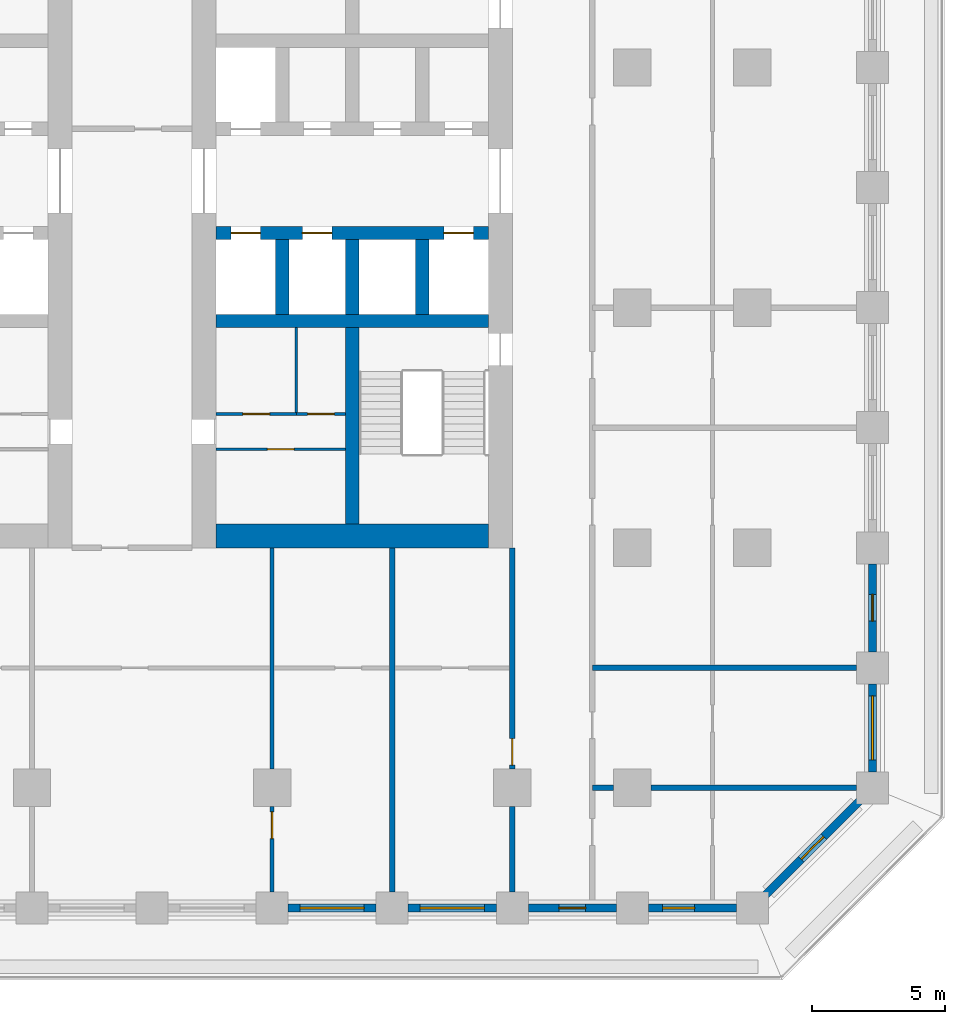
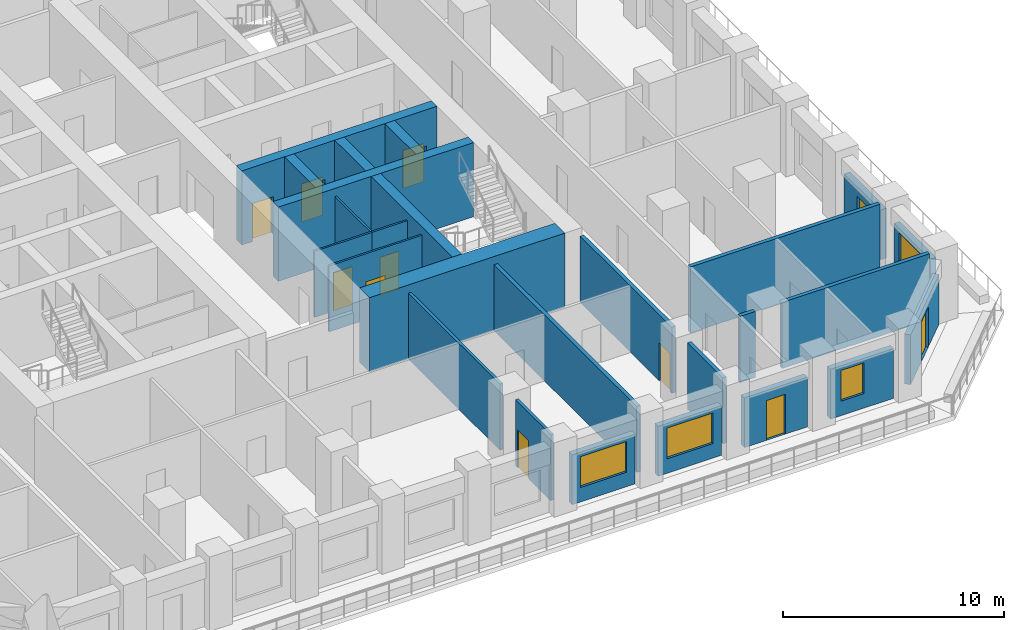
# One storey, part 5 of 18: 26 walls, 11 doors, 4 windows, 15 openings.
"""IFC4 building model written with IfcOpenShell, lengths in metres."""

from ifc_helpers import new_model, si_unit, direction, frame, frame_2d, origin, place, context, subcontext, project, spatial, rectangle, extrude, material, layer, layer_set, type_object, element, fill, save


model = new_model("IFC4")

# Units and contexts
model_context = context("Model", 3, precision=1e-05, world=origin(), true_north=direction((0.0, 1.0)))
body_context = subcontext(model_context, "Body", "Model", "MODEL_VIEW")
ifc_project = project(units=[si_unit("LENGTHUNIT", "METRE"), si_unit("AREAUNIT", "SQUARE_METRE"), si_unit("VOLUMEUNIT", "CUBIC_METRE"), si_unit("PLANEANGLEUNIT", "RADIAN"), si_unit("MASSUNIT", "GRAM", prefix="KILO")], contexts=[model_context])

# Site, building, storey
site_placement = place(None, origin())
site = spatial("IfcSite", under=ifc_project, at=site_placement, CompositionType="ELEMENT")
building_placement = place(site_placement, origin())
building = spatial("IfcBuilding", under=site, at=building_placement, Name="Corbel Stack Research Tower", CompositionType="ELEMENT")
storey_placement = place(building_placement, frame((0.0, 0.0, 102.5)))
storey = spatial("IfcBuildingStorey", under=building, at=storey_placement, Name="L23", CompositionType="ELEMENT", Elevation=102.5)

# Wall
ifc_material_1 = material(Name="Concrete C70/85", Category="concrete")
ifc_layer_1 = layer(ifc_material_1, 0.5)
ifc_layer_set_1 = layer_set([ifc_layer_1], Name="Concrete C70/85")
wall_type_1 = type_object("IfcWallType", Name="CW-500-70", PredefinedType="SHEAR", material=ifc_layer_set_1)
wall_1_placement = place(storey_placement, frame((6.89990234375, -0.5, 0.0), z_axis=(0.0, 0.0, 1.0), x_axis=(1.0, 0.0, 0.0)))
element("IfcWall", 1, at=wall_1_placement, inside=storey, type_object=wall_type_1, Name="East core wall, south row back L23", PredefinedType="SHEAR", context=body_context, shape_type="SweptSolid", body=[
    extrude(rectangle(XDim=10.2001953125, YDim=0.5, at=frame_2d((5.10009765625, 0.0))), origin(), (0.0, 0.0, 1.0), 4.10009765625),
])

# Wall, openings, doors
wall_2_placement = place(storey_placement, frame((6.89990234375, 2.800048828125, 0.0), z_axis=(0.0, 0.0, 1.0), x_axis=(1.0, 0.0, 0.0)))
wall_2 = element("IfcWall", 2, at=wall_2_placement, inside=storey, type_object=wall_type_1, Name="East core wall, lobby south L23", PredefinedType="SHEAR", context=body_context, shape_type="SweptSolid", body=[
    extrude(rectangle(XDim=10.2001953125, YDim=0.5, at=frame_2d((5.10009765625, 0.0))), origin(), (0.0, 0.0, 1.0), 4.10009765625),
])
opening_1_placement = place(wall_2_placement, frame((0.5625, 0.0, 0.0)))
opening_1 = element("IfcOpeningElement", 3, at=opening_1_placement, cuts=wall_2, Name="Opening LD-FS2", PredefinedType="OPENING", context=body_context, shape_type="SweptSolid", body=[
    extrude(rectangle(XDim=1.10009765625, YDim=2.10009765625, at=frame_2d((0.550048828125, 1.050048828125))), frame((0.0, 0.260009765625, 0.0), z_axis=(0.0, -1.0, 0.0), x_axis=(1.0, 0.0, 0.0)), (0.0, 0.0, 1.0), 0.52001953125),
])
opening_2_placement = place(wall_2_placement, frame((3.237548828125, 0.0, 0.0)))
opening_2 = element("IfcOpeningElement", 4, at=opening_2_placement, cuts=wall_2, Name="Opening LD-GL2", PredefinedType="OPENING", context=body_context, shape_type="SweptSolid", body=[
    extrude(rectangle(XDim=1.10009765625, YDim=2.10009765625, at=frame_2d((0.550048828125, 1.050048828125))), frame((0.0, 0.260009765625, 0.0), z_axis=(0.0, -1.0, 0.0), x_axis=(1.0, 0.0, 0.0)), (0.0, 0.0, 1.0), 0.52001953125),
])
opening_3_placement = place(wall_2_placement, frame((8.53759765625, 0.0, 0.0)))
opening_3 = element("IfcOpeningElement", 5, at=opening_3_placement, cuts=wall_2, Name="Opening LD-LR3", PredefinedType="OPENING", context=body_context, shape_type="SweptSolid", body=[
    extrude(rectangle(XDim=1.10009765625, YDim=2.10009765625, at=frame_2d((0.550048828125, 1.050048828125))), frame((0.0, 0.260009765625, 0.0), z_axis=(0.0, -1.0, 0.0), x_axis=(1.0, 0.0, 0.0)), (0.0, 0.0, 1.0), 0.52001953125),
])
ifc_material_2 = material(Name="Stainless steel landing door", Category="steel")
door_type_1 = type_object("IfcDoorType", Name="Lift landing door 1100 x 2100", OperationType="DOUBLE_DOOR_SLIDING", PredefinedType="DOOR", material=ifc_material_2)
door_1_placement = place(opening_1_placement, origin())
door_1 = element("IfcDoor", 6, at=door_1_placement, inside=storey, type_object=door_type_1, Name="Landing door FS2", OperationType="DOUBLE_DOOR_SLIDING", OverallHeight=2.10009765625, OverallWidth=1.10009765625, PredefinedType="DOOR", context=body_context, shape_type="SweptSolid", body=[
    extrude(rectangle(XDim=1.10009765625, YDim=2.10009765625, at=frame_2d((0.550048828125, 1.050048828125))), frame((0.0, 0.02490234375, 0.0), z_axis=(0.0, -1.0, 0.0), x_axis=(1.0, 0.0, 0.0)), (0.0, 0.0, 1.0), 0.050048828125),
])
fill(opening_1, door_1)
door_2_placement = place(opening_2_placement, origin())
door_2 = element("IfcDoor", 7, at=door_2_placement, inside=storey, type_object=door_type_1, Name="Landing door GL2", OperationType="DOUBLE_DOOR_SLIDING", OverallHeight=2.10009765625, OverallWidth=1.10009765625, PredefinedType="DOOR", context=body_context, shape_type="SweptSolid", body=[
    extrude(rectangle(XDim=1.10009765625, YDim=2.10009765625, at=frame_2d((0.550048828125, 1.050048828125))), frame((0.0, 0.02490234375, 0.0), z_axis=(0.0, -1.0, 0.0), x_axis=(1.0, 0.0, 0.0)), (0.0, 0.0, 1.0), 0.050048828125),
])
fill(opening_2, door_2)
door_3_placement = place(opening_3_placement, origin())
door_3 = element("IfcDoor", 8, at=door_3_placement, inside=storey, type_object=door_type_1, Name="Landing door LR3", OperationType="DOUBLE_DOOR_SLIDING", OverallHeight=2.10009765625, OverallWidth=1.10009765625, PredefinedType="DOOR", context=body_context, shape_type="SweptSolid", body=[
    extrude(rectangle(XDim=1.10009765625, YDim=2.10009765625, at=frame_2d((0.550048828125, 1.050048828125))), frame((0.0, 0.02490234375, 0.0), z_axis=(0.0, -1.0, 0.0), x_axis=(1.0, 0.0, 0.0)), (0.0, 0.0, 1.0), 0.050048828125),
])
fill(opening_3, door_3)

# Walls
for number, where, z_axis, x_axis, name in (
    (9, (9.375, -0.25, 0.0), (0.0, 0.0, 1.0), (0.0, 1.0, 0.0), "East core wall, south shaft 1 L23"),
    (10, (12.0, -0.25, 0.0), (0.0, 0.0, 1.0), (0.0, 1.0, 0.0), "East core wall, south shaft 2 L23"),
    (11, (14.625, -0.25, 0.0), (0.0, 0.0, 1.0), (0.0, 1.0, 0.0), "East core wall, south shaft 3 L23"),
):
    element("IfcWall", number, at=place(storey_placement, frame(where, z_axis=z_axis, x_axis=x_axis)), inside=storey, type_object=wall_type_1, Name=name, PredefinedType="SHEAR", context=body_context, shape_type="SweptSolid", body=[
        extrude(rectangle(XDim=2.800048828125, YDim=0.5, at=frame_2d((1.39990234375, 0.0))), origin(), (0.0, 0.0, 1.0), 4.10009765625),
    ])
wall_3_placement = place(storey_placement, frame((12.0, -8.10009765625, 0.0), z_axis=(0.0, 0.0, 1.0), x_axis=(0.0, 1.0, 0.0)))
element("IfcWall", 12, at=wall_3_placement, inside=storey, type_object=wall_type_1, Name="East core wall, south stair and WC L23", PredefinedType="SHEAR", context=body_context, shape_type="SweptSolid", body=[
    extrude(rectangle(XDim=7.35009765625, YDim=0.5, at=frame_2d((3.675048828125, 0.0))), origin(), (0.0, 0.0, 1.0), 4.10009765625),
])
ifc_material_3 = material(Name="Concrete C70/85", Category="concrete")
ifc_layer_2 = layer(ifc_material_3, 0.89990234375)
ifc_layer_set_2 = layer_set([ifc_layer_2], Name="Concrete C70/85")
wall_type_2 = type_object("IfcWallType", Name="CW-900-70", PredefinedType="SHEAR", material=ifc_layer_set_2)
wall_4_placement = place(storey_placement, frame((6.89990234375, -8.550048828125, 0.0), z_axis=(0.0, 0.0, 1.0), x_axis=(1.0, 0.0, 0.0)))
element("IfcWall", 13, at=wall_4_placement, inside=storey, type_object=wall_type_2, Name="East core wall, south end L23", PredefinedType="SHEAR", context=body_context, shape_type="SweptSolid", body=[
    extrude(rectangle(XDim=10.2001953125, YDim=0.89990234375, at=frame_2d((5.10009765625, 0.0))), origin(), (0.0, 0.0, 1.0), 4.10009765625),
])

# Wall, opening, door
ifc_material_4 = material(Name="Gypsum board")
ifc_layer_3 = layer(ifc_material_4, 0.10009765625)
ifc_layer_set_3 = layer_set([ifc_layer_3], Name="Gypsum board")
wall_type_3 = type_object("IfcWallType", Name="Core partition 100", PredefinedType="PARTITIONING", material=ifc_layer_set_3)
wall_5_placement = place(storey_placement, frame((6.89990234375, -5.306884765625, 0.0), z_axis=(0.0, 0.0, 1.0), x_axis=(1.0, 0.0, 0.0)))
wall_5 = element("IfcWall", 14, at=wall_5_placement, inside=storey, type_object=wall_type_3, Name="Core partition E", PredefinedType="PARTITIONING", context=body_context, shape_type="SweptSolid", body=[
    extrude(rectangle(XDim=4.85009765625, YDim=0.10009765625, at=frame_2d((2.425048828125, 0.0))), origin(), (0.0, 0.0, 1.0), 3.64990234375),
])
opening_4_placement = place(wall_5_placement, frame((1.925048828125, 0.0, 0.0)))
opening_4 = element("IfcOpeningElement", 15, at=opening_4_placement, cuts=wall_5, Name="Opening CR-E24-W2-1000", PredefinedType="OPENING", context=body_context, shape_type="SweptSolid", body=[
    extrude(rectangle(XDim=1.0, YDim=2.10009765625, at=frame_2d((0.5, 1.050048828125))), frame((0.0, 0.06005859375, 0.0), z_axis=(0.0, -1.0, 0.0), x_axis=(1.0, 0.0, 0.0)), (0.0, 0.0, 1.0), 0.1201171875),
])
ifc_material_5 = material(Name="Painted timber door", Category="wood")
door_type_2 = type_object("IfcDoorType", Name="WC door 1000 x 2100 left hand", OperationType="SINGLE_SWING_LEFT", PredefinedType="DOOR", material=ifc_material_5)
door_4_placement = place(opening_4_placement, origin())
door_4 = element("IfcDoor", 16, at=door_4_placement, inside=storey, type_object=door_type_2, Name="Men's WC door E core", OperationType="SINGLE_SWING_LEFT", OverallHeight=2.10009765625, OverallWidth=1.0, PredefinedType="DOOR", context=body_context, shape_type="SweptSolid", body=[
    extrude(rectangle(XDim=1.0, YDim=2.10009765625, at=frame_2d((0.5, 1.050048828125))), frame((0.0, 0.02490234375, 0.0), z_axis=(0.0, -1.0, 0.0), x_axis=(1.0, 0.0, 0.0)), (0.0, 0.0, 1.0), 0.050048828125),
])
fill(opening_4, door_4)

wall_6_placement = place(storey_placement, frame((6.89990234375, -3.98388671875, 0.0), z_axis=(0.0, 0.0, 1.0), x_axis=(1.0, 0.0, 0.0)))
wall_6 = element("IfcWall", 17, at=wall_6_placement, inside=storey, type_object=wall_type_3, Name="Core partition E", PredefinedType="PARTITIONING", context=body_context, shape_type="SweptSolid", body=[
    extrude(rectangle(XDim=3.007080078125, YDim=0.10009765625, at=frame_2d((1.50341796875, 0.0))), origin(), (0.0, 0.0, 1.0), 3.64990234375),
])
opening_5_placement = place(wall_6_placement, frame((1.00341796875, 0.0, 0.0)))
opening_5 = element("IfcOpeningElement", 18, at=opening_5_placement, cuts=wall_6, Name="Opening CR-E24-W3-1000", PredefinedType="OPENING", context=body_context, shape_type="SweptSolid", body=[
    extrude(rectangle(XDim=1.0, YDim=2.10009765625, at=frame_2d((0.5, 1.050048828125))), frame((0.0, 0.06005859375, 0.0), z_axis=(0.0, -1.0, 0.0), x_axis=(1.0, 0.0, 0.0)), (0.0, 0.0, 1.0), 0.1201171875),
])
ifc_material_6 = material(Name="Painted timber door", Category="wood")
door_type_3 = type_object("IfcDoorType", Name="WC door 1000 x 2100 right hand", OperationType="SINGLE_SWING_RIGHT", PredefinedType="DOOR", material=ifc_material_6)
door_5_placement = place(opening_5_placement, origin())
door_5 = element("IfcDoor", 19, at=door_5_placement, inside=storey, type_object=door_type_3, Name="Women's WC door E core", OperationType="SINGLE_SWING_RIGHT", OverallHeight=2.10009765625, OverallWidth=1.0, PredefinedType="DOOR", context=body_context, shape_type="SweptSolid", body=[
    extrude(rectangle(XDim=1.0, YDim=2.10009765625, at=frame_2d((0.5, 1.050048828125))), frame((0.0, 0.02490234375, 0.0), z_axis=(0.0, -1.0, 0.0), x_axis=(1.0, 0.0, 0.0)), (0.0, 0.0, 1.0), 0.050048828125),
])
fill(opening_5, door_5)

wall_7_placement = place(storey_placement, frame((9.906982421875, -3.98388671875, 0.0), z_axis=(0.0, 0.0, 1.0), x_axis=(1.0, 0.0, 0.0)))
wall_7 = element("IfcWall", 20, at=wall_7_placement, inside=storey, type_object=wall_type_3, Name="Core partition E", PredefinedType="PARTITIONING", context=body_context, shape_type="SweptSolid", body=[
    extrude(rectangle(XDim=1.843017578125, YDim=0.10009765625, at=frame_2d((0.92138671875, 0.0))), origin(), (0.0, 0.0, 1.0), 3.64990234375),
])
opening_6_placement = place(wall_7_placement, frame((0.42138671875, 0.0, 0.0)))
opening_6 = element("IfcOpeningElement", 21, at=opening_6_placement, cuts=wall_7, Name="Opening CR-E24-W4-1000", PredefinedType="OPENING", context=body_context, shape_type="SweptSolid", body=[
    extrude(rectangle(XDim=1.0, YDim=2.10009765625, at=frame_2d((0.5, 1.050048828125))), frame((0.0, 0.06005859375, 0.0), z_axis=(0.0, -1.0, 0.0), x_axis=(1.0, 0.0, 0.0)), (0.0, 0.0, 1.0), 0.1201171875),
])
door_6_placement = place(opening_6_placement, origin())
door_6 = element("IfcDoor", 22, at=door_6_placement, inside=storey, type_object=door_type_2, Name="Accessible WC door E core", OperationType="SINGLE_SWING_LEFT", OverallHeight=2.10009765625, OverallWidth=1.0, PredefinedType="DOOR", context=body_context, shape_type="SweptSolid", body=[
    extrude(rectangle(XDim=1.0, YDim=2.10009765625, at=frame_2d((0.5, 1.050048828125))), frame((0.0, 0.02490234375, 0.0), z_axis=(0.0, -1.0, 0.0), x_axis=(1.0, 0.0, 0.0)), (0.0, 0.0, 1.0), 0.050048828125),
])
fill(opening_6, door_6)

# Wall
wall_8_placement = place(storey_placement, frame((9.906982421875, -3.98388671875, 0.0), z_axis=(0.0, 0.0, 1.0), x_axis=(0.0, 1.0, 0.0)))
element("IfcWall", 23, at=wall_8_placement, inside=storey, type_object=wall_type_3, Name="Core partition E", PredefinedType="PARTITIONING", context=body_context, shape_type="SweptSolid", body=[
    extrude(rectangle(XDim=3.23388671875, YDim=0.10009765625, at=frame_2d((1.616943359375, 0.0))), origin(), (0.0, 0.0, 1.0), 3.64990234375),
])

# Wall, opening, door
ifc_material_7 = material(Name="Fire-rated gypsum board partition on steel studs", Category="steel")
ifc_layer_4 = layer(ifc_material_7, 0.14990234375)
ifc_layer_set_4 = layer_set([ifc_layer_4], Name="Fire-rated gypsum board partition on steel studs")
wall_type_4 = type_object("IfcWallType", Name="Fire-rated partition 150 EI 60", PredefinedType="PARTITIONING", material=ifc_layer_set_4)
wall_9_placement = place(storey_placement, frame((9.0, -18.699951171875, 0.0), z_axis=(0.0, 0.0, 1.0), x_axis=(0.0, -1.0, 0.0)))
wall_9 = element("IfcWall", 24, at=wall_9_placement, inside=storey, type_object=wall_type_4, Name="Partition L23-017", PredefinedType="PARTITIONING", context=body_context, shape_type="SweptSolid", body=[
    extrude(rectangle(XDim=3.199951171875, YDim=0.14990234375, at=frame_2d((1.60009765625, 0.0))), origin(), (0.0, 0.0, 1.0), 3.64990234375),
])
opening_7_placement = place(wall_9_placement, frame((0.199951171875, 0.0, 0.0)))
opening_7 = element("IfcOpeningElement", 25, at=opening_7_placement, cuts=wall_9, Name="Opening B3V2-029", PredefinedType="OPENING", context=body_context, shape_type="SweptSolid", body=[
    extrude(rectangle(XDim=1.0, YDim=2.10009765625, at=frame_2d((0.5, 1.050048828125))), frame((0.0, 0.0849609375, 0.0), z_axis=(0.0, -1.0, 0.0), x_axis=(1.0, 0.0, 0.0)), (0.0, 0.0, 1.0), 0.169921875),
])
ifc_material_8 = material(Name="Painted steel fire door", Category="steel")
door_type_4 = type_object("IfcDoorType", Name="Fire door FD30S 1000 x 2100", OperationType="NOTDEFINED", PredefinedType="DOOR", material=ifc_material_8)
door_7_placement = place(opening_7_placement, origin())
door_7 = element("IfcDoor", 26, at=door_7_placement, inside=storey, type_object=door_type_4, Name="Door B3V2-029", OperationType="SINGLE_SWING_LEFT", OverallHeight=2.10009765625, OverallWidth=1.0, PredefinedType="DOOR", context=body_context, shape_type="SweptSolid", body=[
    extrude(rectangle(XDim=1.0, YDim=2.10009765625, at=frame_2d((0.5, 1.050048828125))), frame((0.0, 0.02490234375, 0.0), z_axis=(0.0, -1.0, 0.0), x_axis=(1.0, 0.0, 0.0)), (0.0, 0.0, 1.0), 0.050048828125),
])
fill(opening_7, door_7)

# Walls
ifc_material_9 = material(Name="Fire-rated gypsum board partition on steel studs", Category="steel")
ifc_layer_5 = layer(ifc_material_9, 0.199951171875)
ifc_layer_set_5 = layer_set([ifc_layer_5], Name="Fire-rated gypsum board partition on steel studs")
wall_type_5 = type_object("IfcWallType", Name="Fire-rated partition 200 EI 60", PredefinedType="PARTITIONING", material=ifc_layer_set_5)
wall_10_placement = place(storey_placement, frame((13.5, -21.89990234375, 0.0), z_axis=(0.0, 0.0, 1.0), x_axis=(0.0, 1.0, 0.0)))
element("IfcWall", 27, at=wall_10_placement, inside=storey, type_object=wall_type_5, Name="Partition L23-022", PredefinedType="PARTITIONING", context=body_context, shape_type="SweptSolid", body=[
    extrude(rectangle(XDim=12.89990234375, YDim=0.199951171875, at=frame_2d((6.449951171875, 0.0))), origin(), (0.0, 0.0, 1.0), 3.64990234375),
])
wall_11_placement = place(storey_placement, frame((18.0, -21.89990234375, 0.0), z_axis=(0.0, 0.0, 1.0), x_axis=(0.0, 1.0, 0.0)))
element("IfcWall", 28, at=wall_11_placement, inside=storey, type_object=wall_type_5, Name="Partition L23-024", PredefinedType="PARTITIONING", context=body_context, shape_type="SweptSolid", body=[
    extrude(rectangle(XDim=3.199951171875, YDim=0.199951171875, at=frame_2d((1.60009765625, 0.0))), origin(), (0.0, 0.0, 1.0), 3.64990234375),
])

# Wall, opening, door
wall_12_placement = place(storey_placement, frame((18.0, -17.300048828125, 0.0), z_axis=(0.0, 0.0, 1.0), x_axis=(0.0, 1.0, 0.0)))
wall_12 = element("IfcWall", 29, at=wall_12_placement, inside=storey, type_object=wall_type_5, Name="Partition L23-025", PredefinedType="PARTITIONING", context=body_context, shape_type="SweptSolid", body=[
    extrude(rectangle(XDim=8.300048828125, YDim=0.199951171875, at=frame_2d((4.14990234375, 0.0))), origin(), (0.0, 0.0, 1.0), 3.64990234375),
])
opening_8_placement = place(wall_12_placement, frame((0.14990234375, 0.0, 0.0)))
opening_8 = element("IfcOpeningElement", 30, at=opening_8_placement, cuts=wall_12, Name="Opening B3V2-032", PredefinedType="OPENING", context=body_context, shape_type="SweptSolid", body=[
    extrude(rectangle(XDim=1.0, YDim=2.10009765625, at=frame_2d((0.5, 1.050048828125))), frame((0.0, 0.10986328125, 0.0), z_axis=(0.0, -1.0, 0.0), x_axis=(1.0, 0.0, 0.0)), (0.0, 0.0, 1.0), 0.219970703125),
])
door_8_placement = place(opening_8_placement, origin())
door_8 = element("IfcDoor", 31, at=door_8_placement, inside=storey, type_object=door_type_4, Name="Door B3V2-032", OperationType="SINGLE_SWING_LEFT", OverallHeight=2.10009765625, OverallWidth=1.0, PredefinedType="DOOR", context=body_context, shape_type="SweptSolid", body=[
    extrude(rectangle(XDim=1.0, YDim=2.10009765625, at=frame_2d((0.5, 1.050048828125))), frame((0.0, 0.02490234375, 0.0), z_axis=(0.0, -1.0, 0.0), x_axis=(1.0, 0.0, 0.0)), (0.0, 0.0, 1.0), 0.050048828125),
])
fill(opening_8, door_8)

# Walls
wall_13_placement = place(storey_placement, frame((21.0, -18.0, 0.0), z_axis=(0.0, 0.0, 1.0), x_axis=(1.0, 0.0, 0.0)))
element("IfcWall", 32, at=wall_13_placement, inside=storey, type_object=wall_type_5, Name="Partition L23-032", PredefinedType="PARTITIONING", context=body_context, shape_type="SweptSolid", body=[
    extrude(rectangle(XDim=0.800048828125, YDim=0.199951171875, at=frame_2d((0.39990234375, 0.0))), origin(), (0.0, 0.0, 1.0), 3.64990234375),
])
wall_14_placement = place(storey_placement, frame((23.199951171875, -18.0, 0.0), z_axis=(0.0, 0.0, 1.0), x_axis=(1.0, 0.0, 0.0)))
element("IfcWall", 33, at=wall_14_placement, inside=storey, type_object=wall_type_5, Name="Partition L23-033", PredefinedType="PARTITIONING", context=body_context, shape_type="SweptSolid", body=[
    extrude(rectangle(XDim=7.699951171875, YDim=0.199951171875, at=frame_2d((3.85009765625, 0.0))), origin(), (0.0, 0.0, 1.0), 3.64990234375),
])
wall_15_placement = place(storey_placement, frame((21.0, -13.5, 0.0), z_axis=(0.0, 0.0, 1.0), x_axis=(1.0, 0.0, 0.0)))
element("IfcWall", 34, at=wall_15_placement, inside=storey, type_object=wall_type_5, Name="Partition L23-036", PredefinedType="PARTITIONING", context=body_context, shape_type="SweptSolid", body=[
    extrude(rectangle(XDim=9.89990234375, YDim=0.199951171875, at=frame_2d((4.949951171875, 0.0))), origin(), (0.0, 0.0, 1.0), 3.64990234375),
])
ifc_material_10 = material(Name="Gypsum board partition on steel studs", Category="steel")
ifc_layer_6 = layer(ifc_material_10, 0.14990234375)
ifc_layer_set_6 = layer_set([ifc_layer_6], Name="Gypsum board partition on steel studs")
wall_type_6 = type_object("IfcWallType", Name="Partition 150", PredefinedType="PARTITIONING", material=ifc_layer_set_6)
wall_16_placement = place(storey_placement, frame((9.0, -17.300048828125, 0.0), z_axis=(0.0, 0.0, 1.0), x_axis=(0.0, 1.0, 0.0)))
element("IfcWall", 35, at=wall_16_placement, inside=storey, type_object=wall_type_6, Name="Partition L23-018", PredefinedType="PARTITIONING", context=body_context, shape_type="SweptSolid", body=[
    extrude(rectangle(XDim=8.300048828125, YDim=0.14990234375, at=frame_2d((4.14990234375, 0.0))), origin(), (0.0, 0.0, 1.0), 3.64990234375),
])

# Wall, opening, window
ifc_material_11 = material(Name="Concrete C45/55", Category="concrete")
ifc_layer_7 = layer(ifc_material_11, 0.300048828125)
ifc_layer_set_7 = layer_set([ifc_layer_7], Name="Concrete C45/55")
wall_type_7 = type_object("IfcWallType", Name="Terracotta-faced concrete wall 300", PredefinedType="SOLIDWALL", material=ifc_layer_set_7)
wall_17_placement = place(storey_placement, frame((12.89990234375, -22.5, 0.0), z_axis=(0.0, 0.0, 1.0), x_axis=(-1.0, 0.0, 0.0)))
wall_17 = element("IfcWall", 36, at=wall_17_placement, inside=storey, type_object=wall_type_7, Name="Facade wall L23 S07", PredefinedType="SOLIDWALL", context=body_context, shape_type="SweptSolid", body=[
    extrude(rectangle(XDim=3.2998046875, YDim=0.300048828125, at=frame_2d((1.64990234375, 0.0))), origin(), (0.0, 0.0, 1.0), 2.75),
])
opening_9_placement = place(wall_17_placement, frame((0.449951171875, 0.0, 0.800048828125)))
opening_9 = element("IfcOpeningElement", 37, at=opening_9_placement, cuts=wall_17, Name="Opening W1", PredefinedType="OPENING", context=body_context, shape_type="SweptSolid", body=[
    extrude(rectangle(XDim=2.39990234375, YDim=1.699951171875, at=frame_2d((1.199951171875, 0.85009765625))), frame((0.0, 0.159912109375, 0.0), z_axis=(0.0, -1.0, 0.0), x_axis=(1.0, 0.0, 0.0)), (0.0, 0.0, 1.0), 0.320068359375),
])
ifc_material_12 = material(Name="Aluminium frame, clear double glazing", Category="aluminium")
window_type_1 = type_object("IfcWindowType", Name="Window W1 2400 x 1700", PartitioningType="SINGLE_PANEL", PredefinedType="WINDOW", material=ifc_material_12)
window_1_placement = place(opening_9_placement, origin())
window_1 = element("IfcWindow", 38, at=window_1_placement, inside=storey, type_object=window_type_1, Name="Window W1 L23 S07", OverallHeight=1.699951171875, OverallWidth=2.39990234375, PartitioningType="SINGLE_PANEL", PredefinedType="WINDOW", context=body_context, shape_type="SweptSolid", body=[
    extrude(rectangle(XDim=2.39990234375, YDim=1.699951171875, at=frame_2d((1.199951171875, 0.85009765625))), frame((0.0, 0.030029296875, 0.0), z_axis=(0.0, -1.0, 0.0), x_axis=(1.0, 0.0, 0.0)), (0.0, 0.0, 1.0), 0.06005859375),
])
fill(opening_9, window_1)

wall_18_placement = place(storey_placement, frame((17.39990234375, -22.5, 0.0), z_axis=(0.0, 0.0, 1.0), x_axis=(-1.0, 0.0, 0.0)))
wall_18 = element("IfcWall", 39, at=wall_18_placement, inside=storey, type_object=wall_type_7, Name="Facade wall L23 S08", PredefinedType="SOLIDWALL", context=body_context, shape_type="SweptSolid", body=[
    extrude(rectangle(XDim=3.2998046875, YDim=0.300048828125, at=frame_2d((1.64990234375, 0.0))), origin(), (0.0, 0.0, 1.0), 2.75),
])
opening_10_placement = place(wall_18_placement, frame((0.449951171875, 0.0, 0.800048828125)))
opening_10 = element("IfcOpeningElement", 40, at=opening_10_placement, cuts=wall_18, Name="Opening W1", PredefinedType="OPENING", context=body_context, shape_type="SweptSolid", body=[
    extrude(rectangle(XDim=2.39990234375, YDim=1.699951171875, at=frame_2d((1.199951171875, 0.85009765625))), frame((0.0, 0.159912109375, 0.0), z_axis=(0.0, -1.0, 0.0), x_axis=(1.0, 0.0, 0.0)), (0.0, 0.0, 1.0), 0.320068359375),
])
window_2_placement = place(opening_10_placement, origin())
window_2 = element("IfcWindow", 41, at=window_2_placement, inside=storey, type_object=window_type_1, Name="Window W1 L23 S08", OverallHeight=1.699951171875, OverallWidth=2.39990234375, PartitioningType="SINGLE_PANEL", PredefinedType="WINDOW", context=body_context, shape_type="SweptSolid", body=[
    extrude(rectangle(XDim=2.39990234375, YDim=1.699951171875, at=frame_2d((1.199951171875, 0.85009765625))), frame((0.0, 0.030029296875, 0.0), z_axis=(0.0, -1.0, 0.0), x_axis=(1.0, 0.0, 0.0)), (0.0, 0.0, 1.0), 0.06005859375),
])
fill(opening_10, window_2)

# Wall, opening, door
wall_19_placement = place(storey_placement, frame((21.89990234375, -22.5, 0.0), z_axis=(0.0, 0.0, 1.0), x_axis=(-1.0, 0.0, 0.0)))
wall_19 = element("IfcWall", 42, at=wall_19_placement, inside=storey, type_object=wall_type_7, Name="Facade wall L23 S09", PredefinedType="SOLIDWALL", context=body_context, shape_type="SweptSolid", body=[
    extrude(rectangle(XDim=3.2998046875, YDim=0.300048828125, at=frame_2d((1.64990234375, 0.0))), origin(), (0.0, 0.0, 1.0), 2.75),
])
opening_11_placement = place(wall_19_placement, frame((1.14990234375, 0.0, 0.0)))
opening_11 = element("IfcOpeningElement", 43, at=opening_11_placement, cuts=wall_19, Name="Opening L23-B02", PredefinedType="OPENING", context=body_context, shape_type="SweptSolid", body=[
    extrude(rectangle(XDim=1.0, YDim=2.199951171875, at=frame_2d((0.5, 1.10009765625))), frame((0.0, 0.159912109375, 0.0), z_axis=(0.0, -1.0, 0.0), x_axis=(1.0, 0.0, 0.0)), (0.0, 0.0, 1.0), 0.320068359375),
])
ifc_material_13 = material(Name="Aluminium frame, clear double glazing", Category="aluminium")
door_type_5 = type_object("IfcDoorType", Name="Balcony door BD1 1000 x 2200", OperationType="NOTDEFINED", PredefinedType="DOOR", material=ifc_material_13)
door_9_placement = place(opening_11_placement, origin())
door_9 = element("IfcDoor", 44, at=door_9_placement, inside=storey, type_object=door_type_5, Name="Balcony door L23-B02", OperationType="SINGLE_SWING_RIGHT", OverallHeight=2.199951171875, OverallWidth=1.0, PredefinedType="DOOR", context=body_context, shape_type="SweptSolid", body=[
    extrude(rectangle(XDim=1.0, YDim=2.199951171875, at=frame_2d((0.5, 1.10009765625))), frame((0.0, 0.02490234375, 0.0), z_axis=(0.0, -1.0, 0.0), x_axis=(1.0, 0.0, 0.0)), (0.0, 0.0, 1.0), 0.050048828125),
])
fill(opening_11, door_9)

# Wall, opening, window
wall_20_placement = place(storey_placement, frame((26.39990234375, -22.5, 0.0), z_axis=(0.0, 0.0, 1.0), x_axis=(-1.0, 0.0, 0.0)))
wall_20 = element("IfcWall", 45, at=wall_20_placement, inside=storey, type_object=wall_type_7, Name="Facade wall L23 S10", PredefinedType="SOLIDWALL", context=body_context, shape_type="SweptSolid", body=[
    extrude(rectangle(XDim=3.2998046875, YDim=0.300048828125, at=frame_2d((1.64990234375, 0.0))), origin(), (0.0, 0.0, 1.0), 2.75),
])
opening_12_placement = place(wall_20_placement, frame((1.5625, 0.0, 0.800048828125)))
opening_12 = element("IfcOpeningElement", 46, at=opening_12_placement, cuts=wall_20, Name="Opening W2", PredefinedType="OPENING", context=body_context, shape_type="SweptSolid", body=[
    extrude(rectangle(XDim=1.199951171875, YDim=1.699951171875, at=frame_2d((0.60009765625, 0.85009765625))), frame((0.0, 0.159912109375, 0.0), z_axis=(0.0, -1.0, 0.0), x_axis=(1.0, 0.0, 0.0)), (0.0, 0.0, 1.0), 0.320068359375),
])
ifc_material_14 = material(Name="Aluminium frame, clear double glazing", Category="aluminium")
window_type_2 = type_object("IfcWindowType", Name="Window W2 1200 x 1700", PartitioningType="SINGLE_PANEL", PredefinedType="WINDOW", material=ifc_material_14)
window_3_placement = place(opening_12_placement, origin())
window_3 = element("IfcWindow", 47, at=window_3_placement, inside=storey, type_object=window_type_2, Name="Window W2 L23 S10", OverallHeight=1.699951171875, OverallWidth=1.199951171875, PartitioningType="SINGLE_PANEL", PredefinedType="WINDOW", context=body_context, shape_type="SweptSolid", body=[
    extrude(rectangle(XDim=1.199951171875, YDim=1.699951171875, at=frame_2d((0.60009765625, 0.85009765625))), frame((0.0, 0.030029296875, 0.0), z_axis=(0.0, -1.0, 0.0), x_axis=(1.0, 0.0, 0.0)), (0.0, 0.0, 1.0), 0.06005859375),
])
fill(opening_12, window_3)

# Wall, opening, door
wall_21_placement = place(storey_placement, frame((31.006103515625, -18.493896484375, 0.0), z_axis=(0.0, 0.0, 1.0), x_axis=(-0.707106781187, -0.707106781187, 0.0)))
wall_21 = element("IfcWall", 48, at=wall_21_placement, inside=storey, type_object=wall_type_7, Name="Facade wall L23 SE01", PredefinedType="SOLIDWALL", context=body_context, shape_type="SweptSolid", body=[
    extrude(rectangle(XDim=4.967041015625, YDim=0.300048828125, at=frame_2d((2.4833984375, 0.0))), origin(), (0.0, 0.0, 1.0), 2.75),
])
opening_13_placement = place(wall_21_placement, frame((1.883544921875, 0.0, 0.0)))
opening_13 = element("IfcOpeningElement", 49, at=opening_13_placement, cuts=wall_21, Name="Opening L23-B03", PredefinedType="OPENING", context=body_context, shape_type="SweptSolid", body=[
    extrude(rectangle(XDim=1.199951171875, YDim=2.199951171875, at=frame_2d((0.60009765625, 1.10009765625))), frame((0.0, 0.159912109375, 0.0), z_axis=(0.0, -1.0, 0.0), x_axis=(1.0, 0.0, 0.0)), (0.0, 0.0, 1.0), 0.320068359375),
])
ifc_material_15 = material(Name="Aluminium frame, clear double glazing", Category="aluminium")
door_type_6 = type_object("IfcDoorType", Name="Balcony door BD2 1200 x 2200", OperationType="NOTDEFINED", PredefinedType="DOOR", material=ifc_material_15)
door_10_placement = place(opening_13_placement, origin())
door_10 = element("IfcDoor", 50, at=door_10_placement, inside=storey, type_object=door_type_6, Name="Balcony door L23-B03", OperationType="SINGLE_SWING_RIGHT", OverallHeight=2.199951171875, OverallWidth=1.199951171875, PredefinedType="DOOR", context=body_context, shape_type="SweptSolid", body=[
    extrude(rectangle(XDim=1.199951171875, YDim=2.199951171875, at=frame_2d((0.60009765625, 1.10009765625))), frame((0.0, 0.02490234375, 0.0), z_axis=(0.0, -1.0, 0.0), x_axis=(1.0, 0.0, 0.0)), (0.0, 0.0, 1.0), 0.050048828125),
])
fill(opening_13, door_10)

# Wall, opening, window
wall_22_placement = place(storey_placement, frame((31.5, -14.10009765625, 0.0), z_axis=(0.0, 0.0, 1.0), x_axis=(0.0, -1.0, 0.0)))
wall_22 = element("IfcWall", 51, at=wall_22_placement, inside=storey, type_object=wall_type_7, Name="Facade wall L23 E01", PredefinedType="SOLIDWALL", context=body_context, shape_type="SweptSolid", body=[
    extrude(rectangle(XDim=3.2998046875, YDim=0.300048828125, at=frame_2d((1.64990234375, 0.0))), origin(), (0.0, 0.0, 1.0), 2.75),
])
opening_14_placement = place(wall_22_placement, frame((0.449951171875, 0.0, 0.800048828125)))
opening_14 = element("IfcOpeningElement", 52, at=opening_14_placement, cuts=wall_22, Name="Opening W1", PredefinedType="OPENING", context=body_context, shape_type="SweptSolid", body=[
    extrude(rectangle(XDim=2.39990234375, YDim=1.699951171875, at=frame_2d((1.199951171875, 0.85009765625))), frame((0.0, 0.159912109375, 0.0), z_axis=(0.0, -1.0, 0.0), x_axis=(1.0, 0.0, 0.0)), (0.0, 0.0, 1.0), 0.320068359375),
])
window_4_placement = place(opening_14_placement, origin())
window_4 = element("IfcWindow", 53, at=window_4_placement, inside=storey, type_object=window_type_1, Name="Window W1 L23 E01", OverallHeight=1.699951171875, OverallWidth=2.39990234375, PartitioningType="SINGLE_PANEL", PredefinedType="WINDOW", context=body_context, shape_type="SweptSolid", body=[
    extrude(rectangle(XDim=2.39990234375, YDim=1.699951171875, at=frame_2d((1.199951171875, 0.85009765625))), frame((0.0, 0.030029296875, 0.0), z_axis=(0.0, -1.0, 0.0), x_axis=(1.0, 0.0, 0.0)), (0.0, 0.0, 1.0), 0.06005859375),
])
fill(opening_14, window_4)

# Wall, opening, door
wall_23_placement = place(storey_placement, frame((31.5, -9.60009765625, 0.0), z_axis=(0.0, 0.0, 1.0), x_axis=(0.0, -1.0, 0.0)))
wall_23 = element("IfcWall", 54, at=wall_23_placement, inside=storey, type_object=wall_type_7, Name="Facade wall L23 E02", PredefinedType="SOLIDWALL", context=body_context, shape_type="SweptSolid", body=[
    extrude(rectangle(XDim=3.2998046875, YDim=0.300048828125, at=frame_2d((1.64990234375, 0.0))), origin(), (0.0, 0.0, 1.0), 2.75),
])
opening_15_placement = place(wall_23_placement, frame((1.14990234375, 0.0, 0.0)))
opening_15 = element("IfcOpeningElement", 55, at=opening_15_placement, cuts=wall_23, Name="Opening L23-B04", PredefinedType="OPENING", context=body_context, shape_type="SweptSolid", body=[
    extrude(rectangle(XDim=1.0, YDim=2.199951171875, at=frame_2d((0.5, 1.10009765625))), frame((0.0, 0.159912109375, 0.0), z_axis=(0.0, -1.0, 0.0), x_axis=(1.0, 0.0, 0.0)), (0.0, 0.0, 1.0), 0.320068359375),
])
door_11_placement = place(opening_15_placement, origin())
door_11 = element("IfcDoor", 56, at=door_11_placement, inside=storey, type_object=door_type_5, Name="Balcony door L23-B04", OperationType="SINGLE_SWING_LEFT", OverallHeight=2.199951171875, OverallWidth=1.0, PredefinedType="DOOR", context=body_context, shape_type="SweptSolid", body=[
    extrude(rectangle(XDim=1.0, YDim=2.199951171875, at=frame_2d((0.5, 1.10009765625))), frame((0.0, 0.02490234375, 0.0), z_axis=(0.0, -1.0, 0.0), x_axis=(1.0, 0.0, 0.0)), (0.0, 0.0, 1.0), 0.050048828125),
])
fill(opening_15, door_11)

save(model, "model.ifc")
